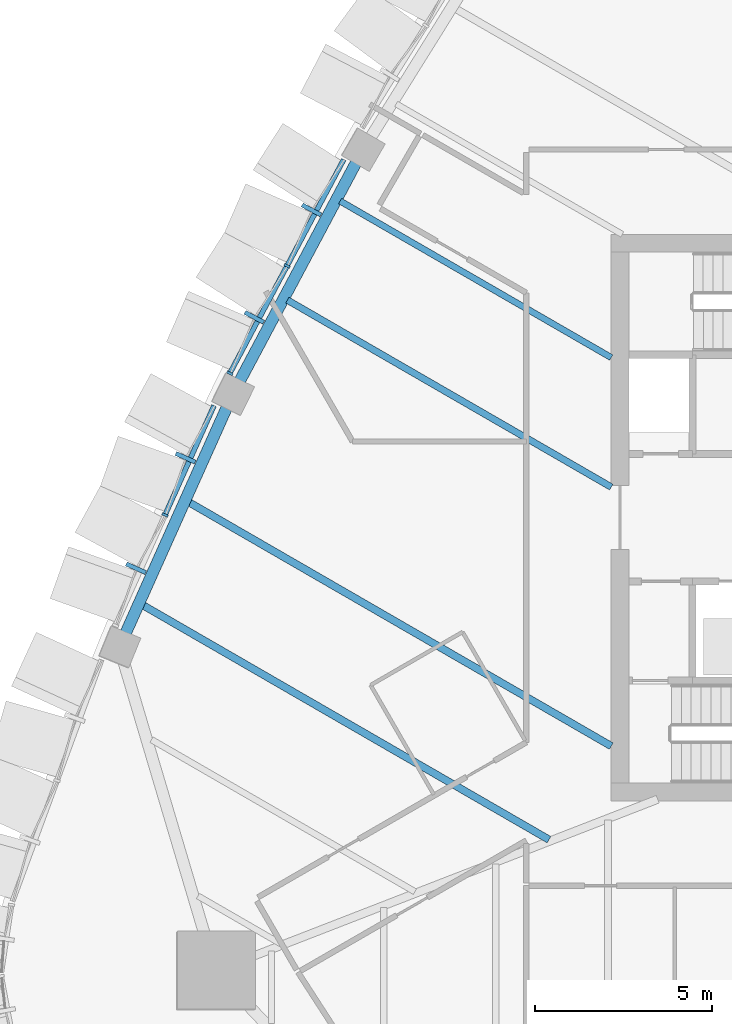
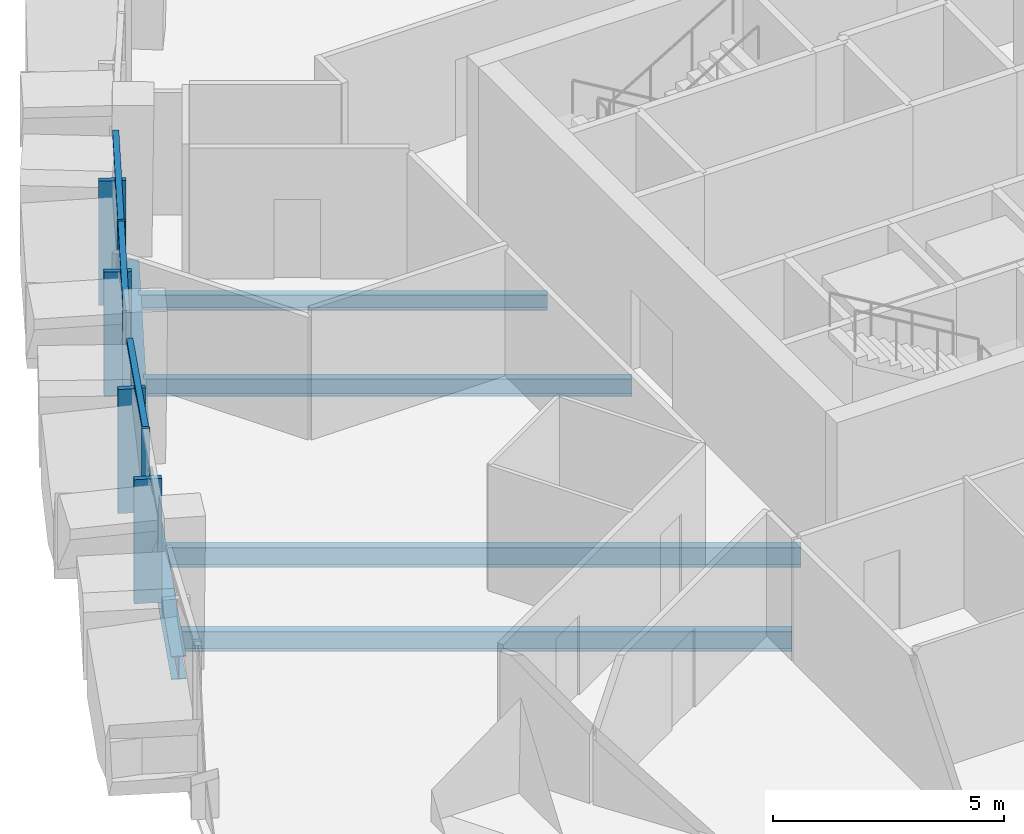
# One storey, part 3 of 19: 10 members, 6 beams, 2 elements without a shape of their own.
"""IFC4 building model written with IfcOpenShell, lengths in metres."""

from ifc_helpers import new_model, si_unit, direction, frame, origin, origin_2d, place, context, subcontext, project, spatial, rectangle, i_section, extrude, material, layer, layer_set, material_profile, profile_set, type_object, element, aggregate, save


model = new_model("IFC4")

# Units and contexts
model_context = context("Model", 3, precision=1e-05, world=origin(), true_north=direction((0.0, 1.0)))
body_context = subcontext(model_context, "Body", "Model", "MODEL_VIEW")
ifc_project = project(units=[si_unit("LENGTHUNIT", "METRE"), si_unit("AREAUNIT", "SQUARE_METRE"), si_unit("VOLUMEUNIT", "CUBIC_METRE"), si_unit("PLANEANGLEUNIT", "RADIAN"), si_unit("MASSUNIT", "GRAM", prefix="KILO")], contexts=[model_context])

# Site, building, storey
site_placement = place(None, origin())
site = spatial("IfcSite", under=ifc_project, at=site_placement, CompositionType="ELEMENT")
building_placement = place(site_placement, origin())
building = spatial("IfcBuilding", under=site, at=building_placement, Name="Sierra Prisma Convention Tower", CompositionType="ELEMENT")
storey_placement = place(building_placement, frame((0.0, 0.0, 235.0)))
storey = spatial("IfcBuildingStorey", under=building, at=storey_placement, Name="L52", CompositionType="ELEMENT", Elevation=235.0)

# Curtain wall, members
ifc_material_1 = material(Name="Aluminium and glass curtain wall", Category="aluminium")
ifc_layer = layer(ifc_material_1, 0.179931640625)
ifc_layer_set = layer_set([ifc_layer], Name="CW-2 Faceted crystal curtain wall")
curtain_wall_type = type_object("IfcCurtainWallType", Name="CW-2 Faceted crystal curtain wall", PredefinedType="NOTDEFINED", material=ifc_layer_set)
curtain_wall_1_placement = place(storey_placement, origin())
curtain_wall_1 = element("IfcCurtainWall", 1, at=curtain_wall_1_placement, inside=storey, type_object=curtain_wall_type, Name="CW-2 NW4 L52", PredefinedType="NOTDEFINED")
ifc_material_2 = material(Name="Aluminium 6063-T6 bronze anodised", Category="aluminium")
ifc_material_profile_1 = material_profile(ifc_material_2, rectangle(XDim=0.1201171875, YDim=0.60009765625, at=origin_2d()), Name="ALU RIDGE BLADE 120x600")
ifc_profile_set_1 = profile_set([ifc_material_profile_1], Name="Aluminium 6063-T6 bronze anodised")
member_type_1 = type_object("IfcMemberType", Name="CW hip bronze", PredefinedType="MULLION", material=ifc_profile_set_1)
member_1_placement = place(storey_placement, frame((-19.467041015625, 8.69091796875, 0.0), z_axis=(0.0, 0.0, 1.0), x_axis=(-0.470187170445, -0.88256672538, 0.0)))
member_1 = element("IfcMember", 2, at=member_1_placement, type_object=member_type_1, Name="CW-2 ridge NW4.1", PredefinedType="MULLION", context=body_context, shape_type="SweptSolid", body=[
    extrude(rectangle(XDim=0.1201171875, YDim=0.60009765625, at=origin_2d()), origin(), (0.0, 0.0, 1.0), 3.280029296875),
])
member_2_placement = place(storey_placement, frame((-21.08349609375, 5.656982421875, 0.0), z_axis=(0.0, 0.0, 1.0), x_axis=(-0.470187170445, -0.88256672538, 0.0)))
member_2 = element("IfcMember", 3, at=member_2_placement, type_object=member_type_1, Name="CW-2 ridge NW4.2", PredefinedType="MULLION", context=body_context, shape_type="SweptSolid", body=[
    extrude(rectangle(XDim=0.1201171875, YDim=0.60009765625, at=origin_2d()), origin(), (0.0, 0.0, 1.0), 3.280029296875),
])

curtain_wall_2_placement = place(storey_placement, origin())
curtain_wall_2 = element("IfcCurtainWall", 4, at=curtain_wall_2_placement, inside=storey, type_object=curtain_wall_type, Name="CW-2 NW5 L52", PredefinedType="NOTDEFINED")
member_3_placement = place(storey_placement, frame((-23.02685546875, 1.68896484375, 0.0), z_axis=(0.0, 0.0, 1.0), x_axis=(-0.408957136589, -0.912553593184, 0.0)))
member_3 = element("IfcMember", 5, at=member_3_placement, type_object=member_type_1, Name="CW-2 ridge NW5.1", PredefinedType="MULLION", context=body_context, shape_type="SweptSolid", body=[
    extrude(rectangle(XDim=0.1201171875, YDim=0.60009765625, at=origin_2d()), origin(), (0.0, 0.0, 1.0), 3.280029296875),
])
member_4_placement = place(storey_placement, frame((-24.426025390625, -1.433349609375, 0.0), z_axis=(0.0, 0.0, 1.0), x_axis=(-0.408957136589, -0.912553593184, 0.0)))
member_4 = element("IfcMember", 6, at=member_4_placement, type_object=member_type_1, Name="CW-2 ridge NW5.2", PredefinedType="MULLION", context=body_context, shape_type="SweptSolid", body=[
    extrude(rectangle(XDim=0.1201171875, YDim=0.60009765625, at=origin_2d()), origin(), (0.0, 0.0, 1.0), 3.280029296875),
])

# Member
ifc_material_3 = material(Name="Aluminium 6063-T6 bronze anodised", Category="aluminium")
ifc_material_profile_2 = material_profile(ifc_material_3, rectangle(XDim=0.179931640625, YDim=0.070068359375, at=origin_2d()), Name="ALU MULLION 70x180")
ifc_profile_set_2 = profile_set([ifc_material_profile_2], Name="Aluminium 6063-T6 bronze anodised")
member_type_2 = type_object("IfcMemberType", Name="CW mullion bronze", PredefinedType="MULLION", material=ifc_profile_set_2)
member_5_placement = place(storey_placement, frame((-20.158203125, 7.111572265625, 0.0), z_axis=(0.0, 0.0, 1.0), x_axis=(0.88256672538, -0.470187170445, 0.0)))
member_5 = element("IfcMember", 7, at=member_5_placement, type_object=member_type_2, Name="CW-1 mullion NW4.2", PredefinedType="MULLION", context=body_context, shape_type="SweptSolid", body=[
    extrude(rectangle(XDim=0.179931640625, YDim=0.070068359375, at=origin_2d()), origin(), (0.0, 0.0, 1.0), 3.39990234375),
])

member_6_placement = place(storey_placement, frame((-21.774658203125, 4.07763671875, 0.0), z_axis=(0.0, 0.0, 1.0), x_axis=(0.88256672538, -0.470187170445, 0.0)))
member_6 = element("IfcMember", 8, at=member_6_placement, type_object=member_type_2, Name="CW-1 mullion NW4.3", PredefinedType="MULLION", context=body_context, shape_type="SweptSolid", body=[
    extrude(rectangle(XDim=0.179931640625, YDim=0.070068359375, at=origin_2d()), origin(), (0.0, 0.0, 1.0), 3.39990234375),
])

member_7_placement = place(storey_placement, frame((-23.60595703125, 0.07373046875, 0.0), z_axis=(0.0, 0.0, 1.0), x_axis=(0.912553593184, -0.408957136589, 0.0)))
member_7 = element("IfcMember", 9, at=member_7_placement, type_object=member_type_2, Name="CW-1 mullion NW5.2", PredefinedType="MULLION", context=body_context, shape_type="SweptSolid", body=[
    extrude(rectangle(XDim=0.179931640625, YDim=0.070068359375, at=origin_2d()), origin(), (0.0, 0.0, 1.0), 3.39990234375),
])

ifc_material_4 = material(Name="Aluminium 6063-T6 bronze anodised", Category="aluminium")
ifc_material_profile_3 = material_profile(ifc_material_4, rectangle(XDim=0.139892578125, YDim=0.1201171875, at=origin_2d()), Name="ALU TRANSOM 120x140")
ifc_profile_set_3 = profile_set([ifc_material_profile_3], Name="Aluminium 6063-T6 bronze anodised")
member_type_3 = type_object("IfcMemberType", Name="CW transom bronze", PredefinedType="USERDEFINED", material=ifc_profile_set_3)
member_8_placement = place(storey_placement, frame((-18.558349609375, 10.11474609375, 3.340087890625), z_axis=(-0.47020439223, -0.882557550264, 0.0), x_axis=(0.882557550264, -0.47020439223, 0.0)))
member_8 = element("IfcMember", 10, at=member_8_placement, type_object=member_type_3, Name="CW-1 transom NW4.1", ObjectType="TRANSOM", PredefinedType="USERDEFINED", context=body_context, shape_type="SweptSolid", body=[
    extrude(rectangle(XDim=0.139892578125, YDim=0.1201171875, at=origin_2d()), origin(), (0.0, 0.0, 1.0), 3.36767578125),
])

member_9_placement = place(storey_placement, frame((-20.1748046875, 7.080810546875, 3.340087890625), z_axis=(-0.470147922201, -0.882587633751, 0.0), x_axis=(0.882587633751, -0.470147922201, 0.0)))
member_9 = element("IfcMember", 11, at=member_9_placement, type_object=member_type_3, Name="CW-1 transom NW4.2", ObjectType="TRANSOM", PredefinedType="USERDEFINED", context=body_context, shape_type="SweptSolid", body=[
    extrude(rectangle(XDim=0.139892578125, YDim=0.1201171875, at=origin_2d()), origin(), (0.0, 0.0, 1.0), 3.36767578125),
])

aggregate(curtain_wall_1, [member_5, member_6, member_8, member_1, member_9, member_2])

member_10_placement = place(storey_placement, frame((-22.22119140625, 3.164306640625, 3.340087890625), z_axis=(-0.408934593423, -0.912563695477, 0.0), x_axis=(0.912563695477, -0.408934593423, 0.0)))
member_10 = element("IfcMember", 12, at=member_10_placement, type_object=member_type_3, Name="CW-1 transom NW5.1", ObjectType="TRANSOM", PredefinedType="USERDEFINED", context=body_context, shape_type="SweptSolid", body=[
    extrude(rectangle(XDim=0.139892578125, YDim=0.1201171875, at=origin_2d()), origin(), (0.0, 0.0, 1.0), 3.3515625),
])

aggregate(curtain_wall_2, [member_7, member_10, member_3, member_4])

# Beams
ifc_material_5 = material(Name="Steel ASTM A992 Gr 50", Category="steel")
ifc_material_profile_4 = material_profile(ifc_material_5, i_section(OverallWidth=0.177978515625, OverallDepth=0.406982421875, WebThickness=0.0078125, FlangeThickness=0.0126953125, at=origin_2d()), Name="W410x60")
ifc_profile_set_4 = profile_set([ifc_material_profile_4], Name="Steel ASTM A992 Gr 50")
beam_type_1 = type_object("IfcBeamType", Name="Floor joist W410x60", PredefinedType="JOIST", material=ifc_profile_set_4)
beam_1_placement = place(storey_placement, frame((-18.65869140625, 8.943115234375, -0.353515625), z_axis=(0.86603111716, -0.499990104013, 0.0), x_axis=(0.499990104013, 0.86603111716, 0.0)))
element("IfcBeam", 13, at=beam_1_placement, inside=storey, type_object=beam_type_1, Name="Floor joist L52 NW08", PredefinedType="JOIST", context=body_context, shape_type="SweptSolid", body=[
    extrude(i_section(OverallWidth=0.177978515625, OverallDepth=0.406982421875, WebThickness=0.0078125, FlangeThickness=0.0126953125, at=origin_2d()), origin(), (0.0, 0.0, 1.0), 8.843505859375),
])
ifc_material_6 = material(Name="Steel ASTM A992 Gr 50", Category="steel")
ifc_material_profile_5 = material_profile(ifc_material_6, i_section(OverallWidth=0.18994140625, OverallDepth=0.45703125, WebThickness=0.009033203125, FlangeThickness=0.014404296875, at=origin_2d()), Name="W460x74")
ifc_profile_set_5 = profile_set([ifc_material_profile_5], Name="Steel ASTM A992 Gr 50")
beam_type_2 = type_object("IfcBeamType", Name="Floor joist W460x74", PredefinedType="JOIST", material=ifc_profile_set_5)
beam_2_placement = place(storey_placement, frame((-20.1494140625, 6.14501953125, -0.37841796875), z_axis=(0.866023189246, -0.500003835674, 0.0), x_axis=(0.500003835674, 0.866023189246, 0.0)))
element("IfcBeam", 14, at=beam_2_placement, inside=storey, type_object=beam_type_2, Name="Floor joist L52 NW09", PredefinedType="JOIST", context=body_context, shape_type="SweptSolid", body=[
    extrude(i_section(OverallWidth=0.18994140625, OverallDepth=0.45703125, WebThickness=0.009033203125, FlangeThickness=0.014404296875, at=origin_2d()), origin(), (0.0, 0.0, 1.0), 10.56494140625),
])
ifc_material_7 = material(Name="Steel ASTM A992 Gr 50", Category="steel")
ifc_material_profile_6 = material_profile(ifc_material_7, i_section(OverallWidth=0.208984375, OverallDepth=0.532958984375, WebThickness=0.01025390625, FlangeThickness=0.015625, at=origin_2d()), Name="W530x92")
ifc_profile_set_6 = profile_set([ifc_material_profile_6], Name="Steel ASTM A992 Gr 50")
beam_type_3 = type_object("IfcBeamType", Name="Floor joist W530x92", PredefinedType="JOIST", material=ifc_profile_set_6)
beam_3_placement = place(storey_placement, frame((-22.936767578125, 0.4365234375, -0.41650390625), z_axis=(0.866020699966, -0.500008147165, 0.0), x_axis=(0.500008147165, 0.866020699966, 0.0)))
element("IfcBeam", 15, at=beam_3_placement, inside=storey, type_object=beam_type_3, Name="Floor joist L52 NW11", PredefinedType="JOIST", context=body_context, shape_type="SweptSolid", body=[
    extrude(i_section(OverallWidth=0.208984375, OverallDepth=0.532958984375, WebThickness=0.01025390625, FlangeThickness=0.015625, at=origin_2d()), origin(), (0.0, 0.0, 1.0), 13.783447265625),
])
beam_4_placement = place(storey_placement, frame((-24.239501953125, -2.470458984375, -0.41650390625), z_axis=(0.866025811336, -0.499999294099, 0.0), x_axis=(0.499999294099, 0.866025811336, 0.0)))
element("IfcBeam", 16, at=beam_4_placement, inside=storey, type_object=beam_type_3, Name="Floor joist L52 NW12", PredefinedType="JOIST", context=body_context, shape_type="SweptSolid", body=[
    extrude(i_section(OverallWidth=0.208984375, OverallDepth=0.532958984375, WebThickness=0.01025390625, FlangeThickness=0.015625, at=origin_2d()), origin(), (0.0, 0.0, 1.0), 13.25732421875),
])
ifc_material_8 = material(Name="Steel ASTM A992 Gr 50", Category="steel")
ifc_material_profile_7 = material_profile(ifc_material_8, i_section(OverallWidth=0.324951171875, OverallDepth=0.615966796875, WebThickness=0.013916015625, FlangeThickness=0.021484375, at=origin_2d()), Name="W610x174")
ifc_profile_set_7 = profile_set([ifc_material_profile_7], Name="Steel ASTM A992 Gr 50")
beam_type_4 = type_object("IfcBeamType", Name="Spandrel beam W610x174", PredefinedType="BEAM", material=ifc_profile_set_7)
for number, where, z_axis, x_axis, name in (
    (17, (-18.166259765625, 10.107177734375, -0.4580078125), (-0.470167742138, -0.882577075531, 0.0), (0.882577075531, -0.470167742138, 0.0), "Spandrel L52-16"),
    (18, (-21.8291015625, 3.18359375, -0.4580078125), (-0.408965995475, -0.912549623059, 0.0), (0.912549623059, -0.408965995475, 0.0), "Spandrel L52-17"),
):
    element("IfcBeam", number, at=place(storey_placement, frame(where, z_axis=z_axis, x_axis=x_axis)), inside=storey, type_object=beam_type_4, Name=name, PredefinedType="BEAM", context=body_context, shape_type="SweptSolid", body=[
        extrude(i_section(OverallWidth=0.324951171875, OverallDepth=0.615966796875, WebThickness=0.013916015625, FlangeThickness=0.021484375, at=origin_2d()), origin(), (0.0, 0.0, 1.0), 7.173095703125),
    ])

save(model, "model.ifc")
